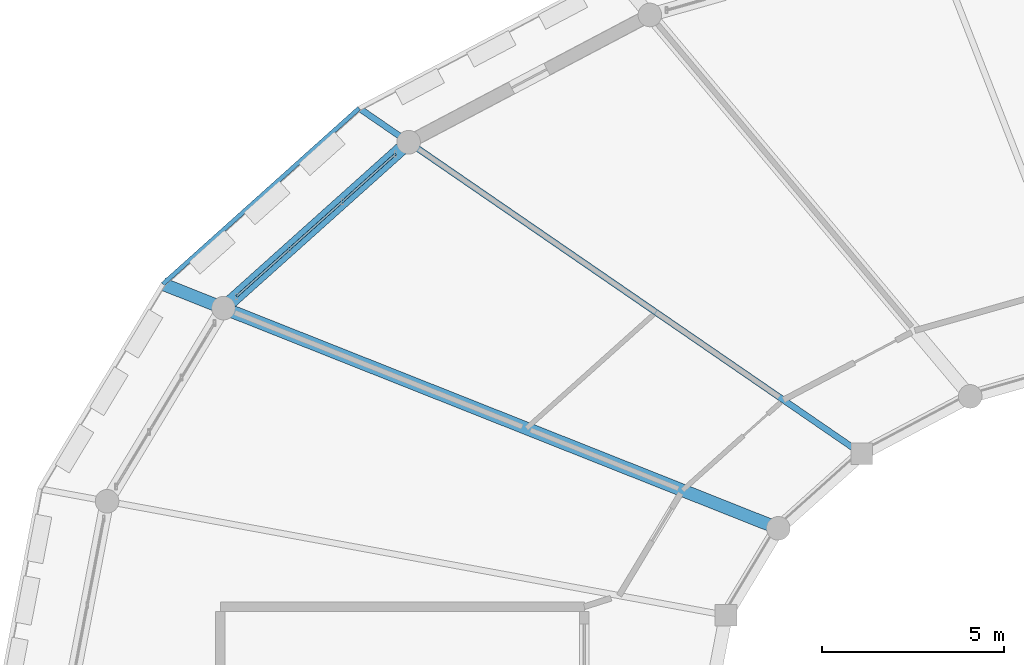
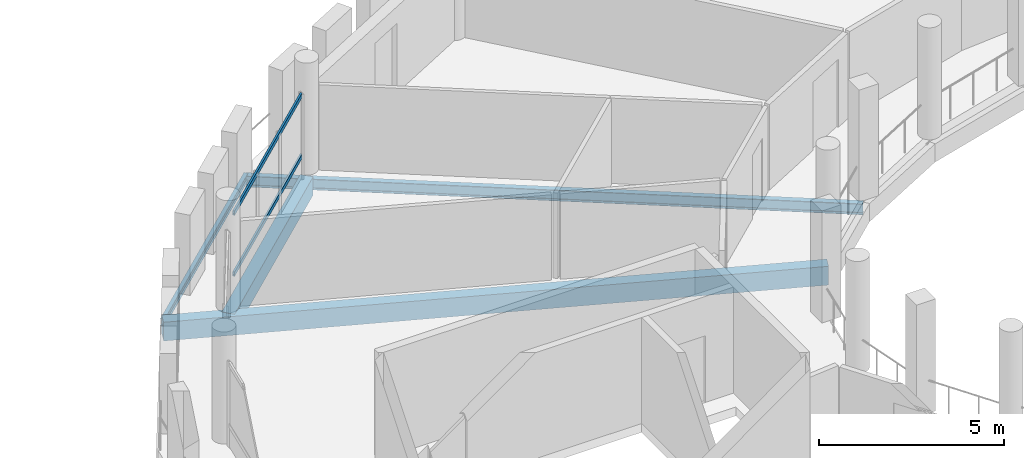
# One storey, part 43 of 84: 4 beams, 2 members, 1 element without a shape of its own.
"""IFC4 building model written with IfcOpenShell, lengths in metres."""

from ifc_helpers import new_model, si_unit, direction, frame, origin, origin_2d, place, context, subcontext, project, spatial, rectangle, hollow_rectangle, i_section, extrude, material, material_profile, profile_set, type_object, element, aggregate, save


model = new_model("IFC4")

# Units and contexts
model_context = context("Model", 3, precision=1e-05, world=origin(), true_north=direction((0.0, 1.0)))
body_context = subcontext(model_context, "Body", "Model", "MODEL_VIEW")
ifc_project = project(units=[si_unit("LENGTHUNIT", "METRE"), si_unit("AREAUNIT", "SQUARE_METRE"), si_unit("VOLUMEUNIT", "CUBIC_METRE"), si_unit("PLANEANGLEUNIT", "RADIAN"), si_unit("MASSUNIT", "GRAM", prefix="KILO")], contexts=[model_context])

# Site, building, storey
site_placement = place(None, origin())
site = spatial("IfcSite", under=ifc_project, at=site_placement, CompositionType="ELEMENT")
building_placement = place(site_placement, origin())
building = spatial("IfcBuilding", under=site, at=building_placement, Name="Zornivar Specialist Clinic", CompositionType="ELEMENT")
storey_placement = place(building_placement, frame((0.0, 0.0, 12.300048828125)))
storey = spatial("IfcBuildingStorey", under=building, at=storey_placement, Name="L03", CompositionType="ELEMENT", Elevation=12.300048828125)

# Beams
ifc_material_1 = material(Name="Concrete C30/37", Category="concrete")
ifc_material_profile_1 = material_profile(ifc_material_1, rectangle(XDim=0.35009765625, YDim=0.6201171875, at=origin_2d()), Name="RC 350x620")
ifc_profile_set_1 = profile_set([ifc_material_profile_1], Name="Concrete C30/37")
beam_type_1 = type_object("IfcBeamType", Name="BM-RC-CANT-350x620", PredefinedType="BEAM", material=ifc_profile_set_1)
beam_1_placement = place(storey_placement, frame((81.12890625, 62.550048828125, -0.550048828125), z_axis=(-0.929458420314, 0.368926882873, 0.0), x_axis=(-0.368926882873, -0.929458420314, 0.0)))
element("IfcBeam", 1, at=beam_1_placement, inside=storey, type_object=beam_type_1, Name="bm:V1:L03:radcant:10", PredefinedType="BEAM", context=body_context, shape_type="SweptSolid", body=[
    extrude(rectangle(XDim=0.35009765625, YDim=0.6201171875, at=origin_2d()), origin(), (0.0, 0.0, 1.0), 18.187744140625),
])
ifc_material_2 = material(Name="Concrete C30/37", Category="concrete")
ifc_material_profile_2 = material_profile(ifc_material_2, rectangle(XDim=0.3701171875, YDim=0.60009765625, at=origin_2d()), Name="RC 370x600")
ifc_profile_set_2 = profile_set([ifc_material_profile_2], Name="Concrete C30/37")
beam_type_2 = type_object("IfcBeamType", Name="BM-RC-SPANDREL-370x600", PredefinedType="SPANDREL", material=ifc_profile_set_2)
beam_2_placement = place(storey_placement, frame((70.972900390625, 73.156005859375, -0.5400390625), z_axis=(-0.744853105459, -0.66722848507, 0.0), x_axis=(0.66722848507, -0.744853105459, 0.0)))
element("IfcBeam", 2, at=beam_2_placement, inside=storey, type_object=beam_type_2, Name="bm:V1:L03:outring:09", PredefinedType="SPANDREL", context=body_context, shape_type="SweptSolid", body=[
    extrude(rectangle(XDim=0.3701171875, YDim=0.60009765625, at=origin_2d()), origin(), (0.0, 0.0, 1.0), 6.828125),
])
ifc_material_3 = material(Name="Steel S355J2", Category="steel")
ifc_material_profile_3 = material_profile(ifc_material_3, i_section(OverallWidth=0.1201171875, OverallDepth=0.239990234375, WebThickness=0.006103515625, FlangeThickness=0.009765625, FilletRadius=0.014892578125, at=origin_2d()), Name="IPE 240")
ifc_profile_set_3 = profile_set([ifc_material_profile_3], Name="Steel S355J2")
beam_type_3 = type_object("IfcBeamType", Name="BM-STL-IPE240", PredefinedType="JOIST", material=ifc_profile_set_3)
beam_3_placement = place(storey_placement, frame((69.614990234375, 74.090087890625, -0.360107421875), z_axis=(-0.744783297449, -0.667306406264, 0.0), x_axis=(0.667306406264, -0.744783297449, 0.0)))
element("IfcBeam", 3, at=beam_3_placement, inside=storey, type_object=beam_type_3, Name="bm:V1:L03:balring:09", PredefinedType="JOIST", context=body_context, shape_type="SweptSolid", body=[
    extrude(i_section(OverallWidth=0.1201171875, OverallDepth=0.239990234375, WebThickness=0.006103515625, FlangeThickness=0.009765625, FilletRadius=0.014892578125, at=origin_2d()), origin(), (0.0, 0.0, 1.0), 7.23828125),
])
ifc_material_4 = material(Name="Steel S355J2", Category="steel")
ifc_material_profile_4 = material_profile(ifc_material_4, i_section(OverallWidth=0.169921875, OverallDepth=0.360107421875, WebThickness=0.008056640625, FlangeThickness=0.0126953125, FilletRadius=0.01806640625, at=origin_2d()), Name="IPE 360")
ifc_profile_set_4 = profile_set([ifc_material_profile_4], Name="Steel S355J2")
beam_type_4 = type_object("IfcBeamType", Name="BM-STL-IPE360", PredefinedType="BEAM", material=ifc_profile_set_4)
beam_4_placement = place(storey_placement, frame((83.41796875, 64.60009765625, -0.469970703125), z_axis=(-0.82402959127, 0.566546761276, 0.0), x_axis=(-0.566546761276, -0.82402959127, 0.0)))
element("IfcBeam", 4, at=beam_4_placement, inside=storey, type_object=beam_type_4, Name="bm:V1:L03:radmid:09", PredefinedType="BEAM", context=body_context, shape_type="SweptSolid", body=[
    extrude(i_section(OverallWidth=0.169921875, OverallDepth=0.360107421875, WebThickness=0.008056640625, FlangeThickness=0.0126953125, FilletRadius=0.01806640625, at=origin_2d()), origin(), (0.0, 0.0, 1.0), 16.75048828125),
])

# Curtain wall, members
ifc_material_5 = material(Name="Aluminium and Low-E Glass Curtain Wall", Category="aluminium")
curtain_wall_type = type_object("IfcCurtainWallType", Name="CW-DRUM-FACET", PredefinedType="NOTDEFINED", material=ifc_material_5)
curtain_wall_placement = place(storey_placement, origin())
curtain_wall = element("IfcCurtainWall", 5, at=curtain_wall_placement, inside=storey, type_object=curtain_wall_type, Name="cw:V1:L03:c09", PredefinedType="NOTDEFINED")
ifc_material_6 = material(Name="Aluminium AW-6060", Category="aluminium")
ifc_material_profile_5 = material_profile(ifc_material_6, hollow_rectangle(XDim=0.06005859375, YDim=0.14501953125, WallThickness=0.00390625, at=origin_2d()), Name="ALU 60x145x4")
ifc_profile_set_5 = profile_set([ifc_material_profile_5], Name="Aluminium AW-6060")
member_type = type_object("IfcMemberType", Name="CWM-TRN-145", PredefinedType="USERDEFINED", material=ifc_profile_set_5)
member_1_placement = place(storey_placement, frame((70.614990234375, 72.8349609375, 0.73095703125), z_axis=(-0.744887471381, -0.667190119067, 0.0), x_axis=(0.667190119067, -0.744887471381, 0.0)))
member_1 = element("IfcMember", 6, at=member_1_placement, type_object=member_type, Name="cw:V1:L03:c09:trn:0", ObjectType="TRANSOM", PredefinedType="USERDEFINED", context=body_context, shape_type="SweptSolid", body=[
    extrude(hollow_rectangle(XDim=0.06005859375, YDim=0.14501953125, WallThickness=0.00390625, at=origin_2d()), origin(), (0.0, 0.0, 1.0), 5.866455078125),
])
member_2_placement = place(storey_placement, frame((70.614990234375, 72.8349609375, 2.744873046875), z_axis=(-0.744887471381, -0.667190119067, 0.0), x_axis=(0.667190119067, -0.744887471381, 0.0)))
member_2 = element("IfcMember", 7, at=member_2_placement, type_object=member_type, Name="cw:V1:L03:c09:trn:1", ObjectType="TRANSOM", PredefinedType="USERDEFINED", context=body_context, shape_type="SweptSolid", body=[
    extrude(hollow_rectangle(XDim=0.06005859375, YDim=0.14501953125, WallThickness=0.00390625, at=origin_2d()), origin(), (0.0, 0.0, 1.0), 5.866455078125),
])
aggregate(curtain_wall, [member_1, member_2])

save(model, "model.ifc")
